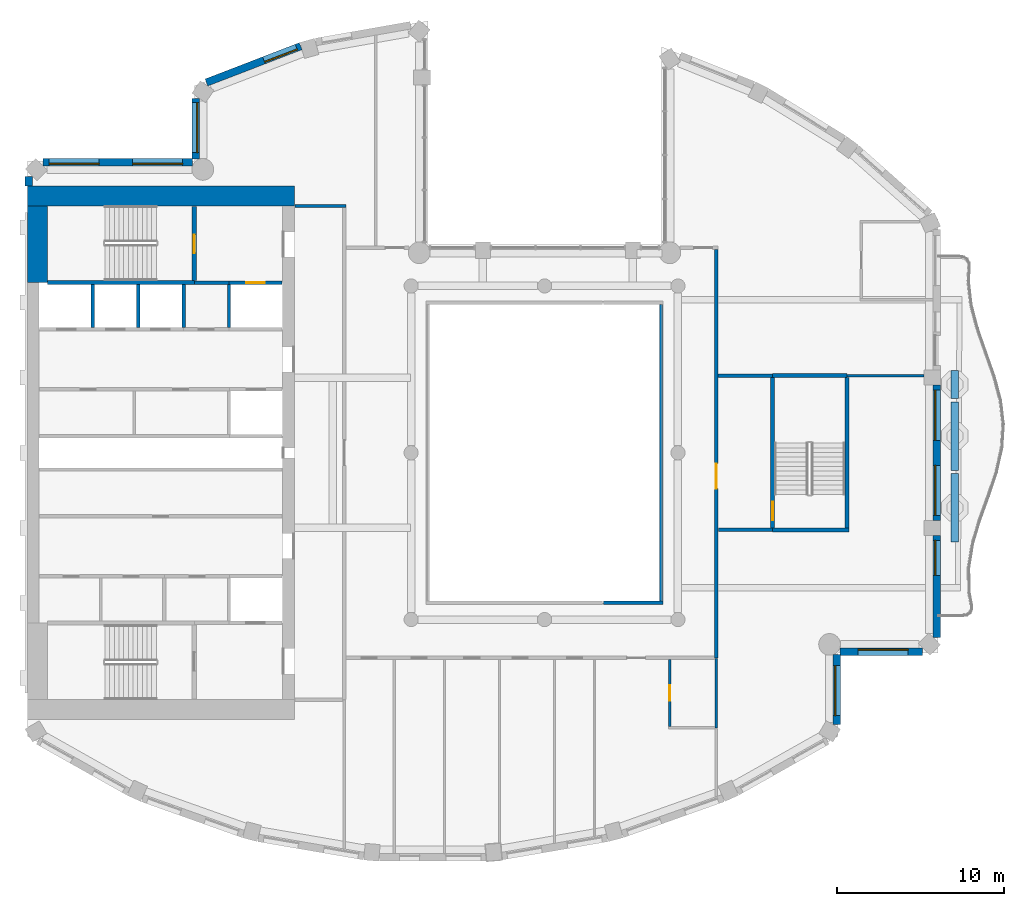
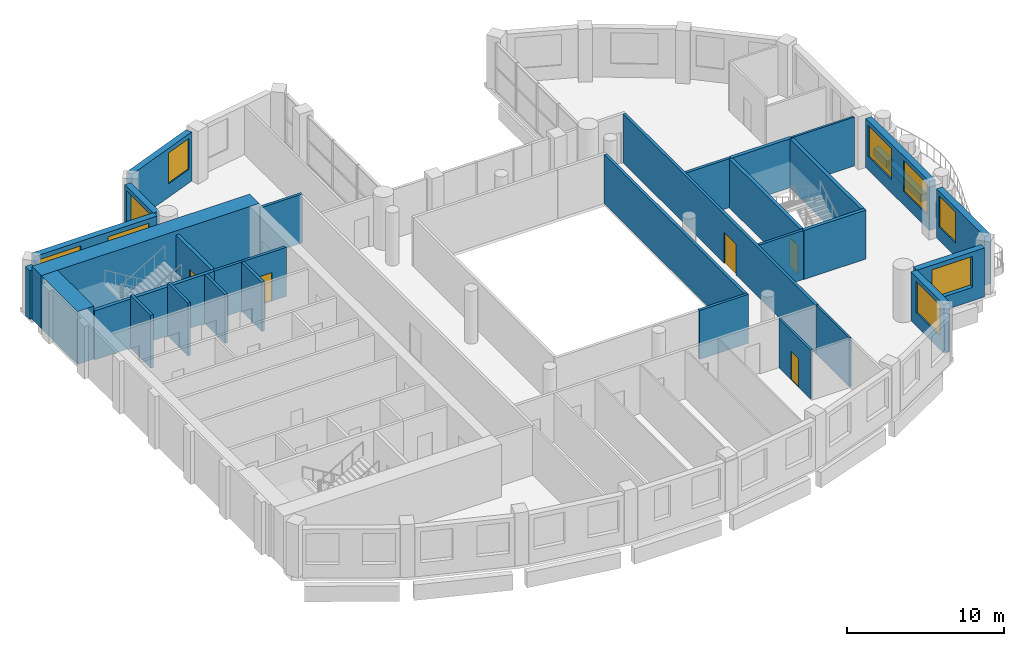
# One storey, part 6 of 14: 34 walls, 9 windows, 5 doors, 14 openings.
"""IFC4 building model written with IfcOpenShell, lengths in metres."""

from ifc_helpers import new_model, si_unit, direction, frame, frame_2d, origin, place, context, subcontext, project, spatial, rectangle, extrude, material, layer, layer_set, type_object, element, fill, save


model = new_model("IFC4")

# Units and contexts
model_context = context("Model", 3, precision=1e-05, world=origin(), true_north=direction((0.0, 1.0)))
body_context = subcontext(model_context, "Body", "Model", "MODEL_VIEW")
ifc_project = project(units=[si_unit("LENGTHUNIT", "METRE"), si_unit("AREAUNIT", "SQUARE_METRE"), si_unit("VOLUMEUNIT", "CUBIC_METRE"), si_unit("PLANEANGLEUNIT", "RADIAN"), si_unit("MASSUNIT", "GRAM", prefix="KILO")], contexts=[model_context])

# Site, building, storey
site_placement = place(None, origin())
site = spatial("IfcSite", under=ifc_project, at=site_placement, CompositionType="ELEMENT")
building_placement = place(site_placement, origin())
building = spatial("IfcBuilding", under=site, at=building_placement, Name="Cypress Arch Tower", CompositionType="ELEMENT")
storey_placement = place(building_placement, frame((0.0, 0.0, 304.89990234375)))
storey = spatial("IfcBuildingStorey", under=building, at=storey_placement, Name="L69", CompositionType="ELEMENT", Elevation=304.89990234375)

# Walls
ifc_material_1 = material(Name="Concrete C40/50, waterproofed", Category="concrete")
ifc_layer_1 = layer(ifc_material_1, 0.449951171875)
ifc_layer_set_1 = layer_set([ifc_layer_1], Name="Balcony planter wall PW450")
wall_type_1 = type_object("IfcWallType", Name="Balcony planter wall PW450", PredefinedType="SOLIDWALL", material=ifc_layer_set_1)
for number, where, z_axis, x_axis, name in (
    (1, (25.60009765625, -5.35009765625, 0.0), (0.0, 0.0, 1.0), (0.0, 1.0, 0.0), "Balcony planter wall L69-C17.1"),
    (2, (25.60009765625, -1.050048828125, 0.0), (0.0, 0.0, 1.0), (0.0, 1.0, 0.0), "Balcony planter wall L69-C17.2"),
):
    element("IfcWall", number, at=place(storey_placement, frame(where, z_axis=z_axis, x_axis=x_axis)), inside=storey, type_object=wall_type_1, Name=name, PredefinedType="SOLIDWALL", context=body_context, shape_type="SweptSolid", body=[
        extrude(rectangle(XDim=4.10009765625, YDim=0.449951171875, at=frame_2d((2.050048828125, 0.0))), origin(), (0.0, 0.0, 1.0), 0.60009765625),
    ])
wall_1_placement = place(storey_placement, frame((25.60009765625, 3.25, 0.0), z_axis=(0.0, 0.0, 1.0), x_axis=(0.0, 1.0, 0.0)))
element("IfcWall", 3, at=wall_1_placement, inside=storey, type_object=wall_type_1, Name="Balcony planter wall L69-C17.3", PredefinedType="SOLIDWALL", context=body_context, shape_type="SweptSolid", body=[
    extrude(rectangle(XDim=1.69140625, YDim=0.449951171875, at=frame_2d((0.845703125, 0.0))), origin(), (0.0, 0.0, 1.0), 0.60009765625),
])

# Wall, opening, window
ifc_material_2 = material(Name="Brick (red buff blend)", Category="masonry")
ifc_layer_2 = layer(ifc_material_2, 0.449951171875)
ifc_layer_set_2 = layer_set([ifc_layer_2], Name="Brick pier and spandrel wall BW450")
wall_type_2 = type_object("IfcWallType", Name="Brick pier and spandrel wall BW450", PredefinedType="SOLIDWALL", material=ifc_layer_set_2)
wall_2_placement = place(storey_placement, frame((-13.6220703125, 24.376953125, 0.0), z_axis=(0.0, 0.0, 1.0), x_axis=(-0.933129259679, -0.359541075164, 0.0)))
wall_2 = element("IfcWall", 4, at=wall_2_placement, inside=storey, type_object=wall_type_2, Name="Brick wall L69 C04.0", PredefinedType="SOLIDWALL", context=body_context, shape_type="SweptSolid", body=[
    extrude(rectangle(XDim=6.05419921875, YDim=0.449951171875, at=frame_2d((3.027099609375, 0.0))), origin(), (0.0, 0.0, 1.0), 3.800048828125),
])
opening_1_placement = place(wall_2_placement, frame((0.260986328125, 0.0, 1.050048828125)))
opening_1 = element("IfcOpeningElement", 5, at=opening_1_placement, cuts=wall_2, Name="Opening W210O", PredefinedType="OPENING", context=body_context, shape_type="SweptSolid", body=[
    extrude(rectangle(XDim=2.10009765625, YDim=2.39990234375, at=frame_2d((1.050048828125, 1.199951171875))), frame((0.0, 0.23486328125, 0.0), z_axis=(0.0, -1.0, 0.0), x_axis=(1.0, 0.0, 0.0)), (0.0, 0.0, 1.0), 0.469970703125),
])
ifc_material_3 = material(Name="Anodised aluminium, bronze finish, clear low-emissivity double glazing", Category="aluminium")
window_type_1 = type_object("IfcWindowType", Name="Window Office 2100x2400", PartitioningType="SINGLE_PANEL", PredefinedType="WINDOW", material=ifc_material_3)
window_1_placement = place(opening_1_placement, origin())
window_1 = element("IfcWindow", 6, at=window_1_placement, inside=storey, type_object=window_type_1, Name="Window L69 C04.0.1", OverallHeight=2.39990234375, OverallWidth=2.10009765625, PartitioningType="SINGLE_PANEL", PredefinedType="WINDOW", context=body_context, shape_type="SweptSolid", body=[
    extrude(rectangle(XDim=2.10009765625, YDim=2.39990234375, at=frame_2d((1.050048828125, 1.199951171875))), frame((0.0, 0.135009765625, 0.0), z_axis=(0.0, -1.0, 0.0), x_axis=(1.0, 0.0, 0.0)), (0.0, 0.0, 1.0), 0.06005859375),
])
fill(opening_1, window_1)

wall_3_placement = place(storey_placement, frame((-19.925048828125, 21.248291015625, 0.0), z_axis=(0.0, 0.0, 1.0), x_axis=(0.0, -1.0, 0.0)))
wall_3 = element("IfcWall", 7, at=wall_3_placement, inside=storey, type_object=wall_type_2, Name="Brick wall L69 C05.0", PredefinedType="SOLIDWALL", context=body_context, shape_type="SweptSolid", body=[
    extrude(rectangle(XDim=3.646728515625, YDim=0.449951171875, at=frame_2d((1.8232421875, 0.0))), origin(), (0.0, 0.0, 1.0), 3.800048828125),
])
opening_2_placement = place(wall_3_placement, frame((0.251220703125, 0.0, 1.050048828125)))
opening_2 = element("IfcOpeningElement", 8, at=opening_2_placement, cuts=wall_3, Name="Opening W300O", PredefinedType="OPENING", context=body_context, shape_type="SweptSolid", body=[
    extrude(rectangle(XDim=3.0, YDim=2.39990234375, at=frame_2d((1.5, 1.199951171875))), frame((0.0, 0.23486328125, 0.0), z_axis=(0.0, -1.0, 0.0), x_axis=(1.0, 0.0, 0.0)), (0.0, 0.0, 1.0), 0.469970703125),
])
ifc_material_4 = material(Name="Anodised aluminium, bronze finish, clear low-emissivity double glazing", Category="aluminium")
window_type_2 = type_object("IfcWindowType", Name="Window Office 3000x2400", PartitioningType="SINGLE_PANEL", PredefinedType="WINDOW", material=ifc_material_4)
window_2_placement = place(opening_2_placement, origin())
window_2 = element("IfcWindow", 9, at=window_2_placement, inside=storey, type_object=window_type_2, Name="Window L69 C05.0.1", OverallHeight=2.39990234375, OverallWidth=3.0, PartitioningType="SINGLE_PANEL", PredefinedType="WINDOW", context=body_context, shape_type="SweptSolid", body=[
    extrude(rectangle(XDim=3.0, YDim=2.39990234375, at=frame_2d((1.5, 1.199951171875))), frame((0.0, 0.135009765625, 0.0), z_axis=(0.0, -1.0, 0.0), x_axis=(1.0, 0.0, 0.0)), (0.0, 0.0, 1.0), 0.06005859375),
])
fill(opening_2, window_2)

# Wall, openings, windows
wall_4_placement = place(storey_placement, frame((-20.1015625, 17.425048828125, 0.0), z_axis=(0.0, 0.0, 1.0), x_axis=(-1.0, 0.0, 0.0)))
wall_4 = element("IfcWall", 10, at=wall_4_placement, inside=storey, type_object=wall_type_2, Name="Brick wall L69 C06.0", PredefinedType="SOLIDWALL", context=body_context, shape_type="SweptSolid", body=[
    extrude(rectangle(XDim=8.962158203125, YDim=0.449951171875, at=frame_2d((4.48095703125, 0.0))), origin(), (0.0, 0.0, 1.0), 3.800048828125),
])
opening_3_placement = place(wall_4_placement, frame((0.598388671875, 0.0, 1.050048828125)))
opening_3 = element("IfcOpeningElement", 11, at=opening_3_placement, cuts=wall_4, Name="Opening W300O", PredefinedType="OPENING", context=body_context, shape_type="SweptSolid", body=[
    extrude(rectangle(XDim=3.0, YDim=2.39990234375, at=frame_2d((1.5, 1.199951171875))), frame((0.0, 0.23486328125, 0.0), z_axis=(0.0, -1.0, 0.0), x_axis=(1.0, 0.0, 0.0)), (0.0, 0.0, 1.0), 0.469970703125),
])
opening_4_placement = place(wall_4_placement, frame((5.598388671875, 0.0, 1.050048828125)))
opening_4 = element("IfcOpeningElement", 12, at=opening_4_placement, cuts=wall_4, Name="Opening W300O", PredefinedType="OPENING", context=body_context, shape_type="SweptSolid", body=[
    extrude(rectangle(XDim=3.0, YDim=2.39990234375, at=frame_2d((1.5, 1.199951171875))), frame((0.0, 0.23486328125, 0.0), z_axis=(0.0, -1.0, 0.0), x_axis=(1.0, 0.0, 0.0)), (0.0, 0.0, 1.0), 0.469970703125),
])
window_3_placement = place(opening_3_placement, origin())
window_3 = element("IfcWindow", 13, at=window_3_placement, inside=storey, type_object=window_type_2, Name="Window L69 C06.0.1", OverallHeight=2.39990234375, OverallWidth=3.0, PartitioningType="SINGLE_PANEL", PredefinedType="WINDOW", context=body_context, shape_type="SweptSolid", body=[
    extrude(rectangle(XDim=3.0, YDim=2.39990234375, at=frame_2d((1.5, 1.199951171875))), frame((0.0, 0.135009765625, 0.0), z_axis=(0.0, -1.0, 0.0), x_axis=(1.0, 0.0, 0.0)), (0.0, 0.0, 1.0), 0.06005859375),
])
fill(opening_3, window_3)
window_4_placement = place(opening_4_placement, origin())
window_4 = element("IfcWindow", 14, at=window_4_placement, inside=storey, type_object=window_type_2, Name="Window L69 C06.0.2", OverallHeight=2.39990234375, OverallWidth=3.0, PartitioningType="SINGLE_PANEL", PredefinedType="WINDOW", context=body_context, shape_type="SweptSolid", body=[
    extrude(rectangle(XDim=3.0, YDim=2.39990234375, at=frame_2d((1.5, 1.199951171875))), frame((0.0, 0.135009765625, 0.0), z_axis=(0.0, -1.0, 0.0), x_axis=(1.0, 0.0, 0.0)), (0.0, 0.0, 1.0), 0.06005859375),
])
fill(opening_4, window_4)

# Wall
wall_5_placement = place(storey_placement, frame((-29.925048828125, 16.563720703125, 0.0), z_axis=(0.0, 0.0, 1.0), x_axis=(0.0, -1.0, 0.0)))
element("IfcWall", 15, at=wall_5_placement, inside=storey, type_object=wall_type_2, Name="Brick wall L69 C07.0", PredefinedType="SOLIDWALL", context=body_context, shape_type="SweptSolid", body=[
    extrude(rectangle(XDim=0.563720703125, YDim=0.449951171875, at=frame_2d((0.28173828125, 0.0))), origin(), (0.0, 0.0, 1.0), 3.800048828125),
])

# Wall, opening, window
wall_6_placement = place(storey_placement, frame((18.52490234375, -16.3037109375, 0.0), z_axis=(0.0, 0.0, 1.0), x_axis=(0.0, 1.0, 0.0)))
wall_6 = element("IfcWall", 16, at=wall_6_placement, inside=storey, type_object=wall_type_2, Name="Brick wall L69 C15.0", PredefinedType="SOLIDWALL", context=body_context, shape_type="SweptSolid", body=[
    extrude(rectangle(XDim=4.2021484375, YDim=0.449951171875, at=frame_2d((2.10107421875, 0.0))), origin(), (0.0, 0.0, 1.0), 3.800048828125),
])
opening_5_placement = place(wall_6_placement, frame((0.541259765625, 0.0, 1.050048828125)))
opening_5 = element("IfcOpeningElement", 17, at=opening_5_placement, cuts=wall_6, Name="Opening W300O", PredefinedType="OPENING", context=body_context, shape_type="SweptSolid", body=[
    extrude(rectangle(XDim=3.0, YDim=2.39990234375, at=frame_2d((1.5, 1.199951171875))), frame((0.0, 0.23486328125, 0.0), z_axis=(0.0, -1.0, 0.0), x_axis=(1.0, 0.0, 0.0)), (0.0, 0.0, 1.0), 0.469970703125),
])
window_5_placement = place(opening_5_placement, origin())
window_5 = element("IfcWindow", 18, at=window_5_placement, inside=storey, type_object=window_type_2, Name="Window L69 C15.0.1", OverallHeight=2.39990234375, OverallWidth=3.0, PartitioningType="SINGLE_PANEL", PredefinedType="WINDOW", context=body_context, shape_type="SweptSolid", body=[
    extrude(rectangle(XDim=3.0, YDim=2.39990234375, at=frame_2d((1.5, 1.199951171875))), frame((0.0, 0.135009765625, 0.0), z_axis=(0.0, -1.0, 0.0), x_axis=(1.0, 0.0, 0.0)), (0.0, 0.0, 1.0), 0.06005859375),
])
fill(opening_5, window_5)

wall_7_placement = place(storey_placement, frame((18.701416015625, -11.925048828125, 0.0), z_axis=(0.0, 0.0, 1.0), x_axis=(1.0, 0.0, 0.0)))
wall_7 = element("IfcWall", 19, at=wall_7_placement, inside=storey, type_object=wall_type_2, Name="Brick wall L69 C16.0", PredefinedType="SOLIDWALL", context=body_context, shape_type="SweptSolid", body=[
    extrude(rectangle(XDim=4.962158203125, YDim=0.449951171875, at=frame_2d((2.48095703125, 0.0))), origin(), (0.0, 0.0, 1.0), 3.800048828125),
])
opening_6_placement = place(wall_7_placement, frame((1.098388671875, 0.0, 1.050048828125)))
opening_6 = element("IfcOpeningElement", 20, at=opening_6_placement, cuts=wall_7, Name="Opening W300O", PredefinedType="OPENING", context=body_context, shape_type="SweptSolid", body=[
    extrude(rectangle(XDim=3.0, YDim=2.39990234375, at=frame_2d((1.5, 1.199951171875))), frame((0.0, 0.23486328125, 0.0), z_axis=(0.0, -1.0, 0.0), x_axis=(1.0, 0.0, 0.0)), (0.0, 0.0, 1.0), 0.469970703125),
])
window_6_placement = place(opening_6_placement, origin())
window_6 = element("IfcWindow", 21, at=window_6_placement, inside=storey, type_object=window_type_2, Name="Window L69 C16.0.1", OverallHeight=2.39990234375, OverallWidth=3.0, PartitioningType="SINGLE_PANEL", PredefinedType="WINDOW", context=body_context, shape_type="SweptSolid", body=[
    extrude(rectangle(XDim=3.0, YDim=2.39990234375, at=frame_2d((1.5, 1.199951171875))), frame((0.0, 0.135009765625, 0.0), z_axis=(0.0, -1.0, 0.0), x_axis=(1.0, 0.0, 0.0)), (0.0, 0.0, 1.0), 0.06005859375),
])
fill(opening_6, window_6)

wall_8_placement = place(storey_placement, frame((24.52490234375, -11.063720703125, 0.0), z_axis=(0.0, 0.0, 1.0), x_axis=(0.0, 1.0, 0.0)))
wall_8 = element("IfcWall", 22, at=wall_8_placement, inside=storey, type_object=wall_type_2, Name="Brick wall L69 C17.0", PredefinedType="SOLIDWALL", context=body_context, shape_type="SweptSolid", body=[
    extrude(rectangle(XDim=6.11376953125, YDim=0.449951171875, at=frame_2d((3.056884765625, 0.0))), origin(), (0.0, 0.0, 1.0), 3.800048828125),
])
opening_7_placement = place(wall_8_placement, frame((3.713623046875, 0.0, 1.050048828125)))
opening_7 = element("IfcOpeningElement", 23, at=opening_7_placement, cuts=wall_8, Name="Opening W210OD", PredefinedType="OPENING", context=body_context, shape_type="SweptSolid", body=[
    extrude(rectangle(XDim=2.10009765625, YDim=2.39990234375, at=frame_2d((1.050048828125, 1.199951171875))), frame((0.0, 0.23486328125, 0.0), z_axis=(0.0, -1.0, 0.0), x_axis=(1.0, 0.0, 0.0)), (0.0, 0.0, 1.0), 0.469970703125),
])
ifc_material_5 = material(Name="Anodised aluminium, bronze finish, laminated low-emissivity double glazing, large-missile impact rated", Category="aluminium")
window_type_3 = type_object("IfcWindowType", Name="Window Office 2100x2400 debris-rated", PartitioningType="SINGLE_PANEL", PredefinedType="WINDOW", material=ifc_material_5)
window_7_placement = place(opening_7_placement, origin())
window_7 = element("IfcWindow", 24, at=window_7_placement, inside=storey, type_object=window_type_3, Name="Window L69 C17.0.2", OverallHeight=2.39990234375, OverallWidth=2.10009765625, PartitioningType="SINGLE_PANEL", PredefinedType="WINDOW", context=body_context, shape_type="SweptSolid", body=[
    extrude(rectangle(XDim=2.10009765625, YDim=2.39990234375, at=frame_2d((1.050048828125, 1.199951171875))), frame((0.0, 0.135009765625, 0.0), z_axis=(0.0, -1.0, 0.0), x_axis=(1.0, 0.0, 0.0)), (0.0, 0.0, 1.0), 0.06005859375),
])
fill(opening_7, window_7)

# Wall, openings, windows
wall_9_placement = place(storey_placement, frame((24.52490234375, -4.050048828125, 0.0), z_axis=(0.0, 0.0, 1.0), x_axis=(0.0, 1.0, 0.0)))
wall_9 = element("IfcWall", 25, at=wall_9_placement, inside=storey, type_object=wall_type_2, Name="Brick wall L69 C17.1", PredefinedType="SOLIDWALL", context=body_context, shape_type="SweptSolid", body=[
    extrude(rectangle(XDim=8.10009765625, YDim=0.449951171875, at=frame_2d((4.050048828125, 0.0))), origin(), (0.0, 0.0, 1.0), 3.800048828125),
])
opening_8_placement = place(wall_9_placement, frame((0.300048828125, 0.0, 1.050048828125)))
opening_8 = element("IfcOpeningElement", 26, at=opening_8_placement, cuts=wall_9, Name="Opening W300OD", PredefinedType="OPENING", context=body_context, shape_type="SweptSolid", body=[
    extrude(rectangle(XDim=3.0, YDim=2.39990234375, at=frame_2d((1.5, 1.199951171875))), frame((0.0, 0.23486328125, 0.0), z_axis=(0.0, -1.0, 0.0), x_axis=(1.0, 0.0, 0.0)), (0.0, 0.0, 1.0), 0.469970703125),
])
opening_9_placement = place(wall_9_placement, frame((4.800048828125, 0.0, 1.050048828125)))
opening_9 = element("IfcOpeningElement", 27, at=opening_9_placement, cuts=wall_9, Name="Opening W300OD", PredefinedType="OPENING", context=body_context, shape_type="SweptSolid", body=[
    extrude(rectangle(XDim=3.0, YDim=2.39990234375, at=frame_2d((1.5, 1.199951171875))), frame((0.0, 0.23486328125, 0.0), z_axis=(0.0, -1.0, 0.0), x_axis=(1.0, 0.0, 0.0)), (0.0, 0.0, 1.0), 0.469970703125),
])
ifc_material_6 = material(Name="Anodised aluminium, bronze finish, laminated low-emissivity double glazing, large-missile impact rated", Category="aluminium")
window_type_4 = type_object("IfcWindowType", Name="Window Office 3000x2400 debris-rated", PartitioningType="SINGLE_PANEL", PredefinedType="WINDOW", material=ifc_material_6)
window_8_placement = place(opening_8_placement, origin())
window_8 = element("IfcWindow", 28, at=window_8_placement, inside=storey, type_object=window_type_4, Name="Window L69 C17.1.1", OverallHeight=2.39990234375, OverallWidth=3.0, PartitioningType="SINGLE_PANEL", PredefinedType="WINDOW", context=body_context, shape_type="SweptSolid", body=[
    extrude(rectangle(XDim=3.0, YDim=2.39990234375, at=frame_2d((1.5, 1.199951171875))), frame((0.0, 0.135009765625, 0.0), z_axis=(0.0, -1.0, 0.0), x_axis=(1.0, 0.0, 0.0)), (0.0, 0.0, 1.0), 0.06005859375),
])
fill(opening_8, window_8)
window_9_placement = place(opening_9_placement, origin())
window_9 = element("IfcWindow", 29, at=window_9_placement, inside=storey, type_object=window_type_4, Name="Window L69 C17.1.2", OverallHeight=2.39990234375, OverallWidth=3.0, PartitioningType="SINGLE_PANEL", PredefinedType="WINDOW", context=body_context, shape_type="SweptSolid", body=[
    extrude(rectangle(XDim=3.0, YDim=2.39990234375, at=frame_2d((1.5, 1.199951171875))), frame((0.0, 0.135009765625, 0.0), z_axis=(0.0, -1.0, 0.0), x_axis=(1.0, 0.0, 0.0)), (0.0, 0.0, 1.0), 0.06005859375),
])
fill(opening_9, window_9)

# Walls
ifc_material_7 = material(Name="Concrete C60/75", Category="concrete")
ifc_layer_3 = layer(ifc_material_7, 1.199951171875)
ifc_layer_set_3 = layer_set([ifc_layer_3], Name="Core wall CW1200 C60/75")
wall_type_3 = type_object("IfcWallType", Name="Core wall CW1200 C60/75", PredefinedType="SHEAR", material=ifc_layer_set_3)
wall_10_placement = place(storey_placement, frame((-30.0, 15.39990234375, 0.0), z_axis=(0.0, 0.0, 1.0), x_axis=(1.0, 0.0, 0.0)))
element("IfcWall", 30, at=wall_10_placement, inside=storey, type_object=wall_type_3, Name="Core wall", PredefinedType="SHEAR", context=body_context, shape_type="SweptSolid", body=[
    extrude(rectangle(XDim=16.0, YDim=1.199951171875, at=frame_2d((8.0, 0.0))), origin(), (0.0, 0.0, 1.0), 4.10009765625),
])
wall_11_placement = place(storey_placement, frame((-29.39990234375, 10.199951171875, 0.0), z_axis=(0.0, 0.0, 1.0), x_axis=(0.0, 1.0, 0.0)))
element("IfcWall", 31, at=wall_11_placement, inside=storey, type_object=wall_type_3, Name="Core wall", PredefinedType="SHEAR", context=body_context, shape_type="SweptSolid", body=[
    extrude(rectangle(XDim=4.60009765625, YDim=1.199951171875, at=frame_2d((2.300048828125, 0.0))), origin(), (0.0, 0.0, 1.0), 4.10009765625),
])
ifc_material_8 = material(Name="Concrete blockwork, plastered, rated", Category="masonry")
ifc_layer_4 = layer(ifc_material_8, 0.199951171875)
ifc_layer_set_4 = layer_set([ifc_layer_4], Name="Corridor wall FW200")
wall_type_4 = type_object("IfcWallType", Name="Corridor wall FW200", PredefinedType="PARTITIONING", material=ifc_layer_set_4)
wall_12_placement = place(storey_placement, frame((-20.0, 10.199951171875, 0.0), z_axis=(0.0, 0.0, 1.0), x_axis=(1.0, 0.0, 0.0)))
element("IfcWall", 32, at=wall_12_placement, inside=storey, type_object=wall_type_4, Name="Corridor wall", PredefinedType="PARTITIONING", context=body_context, shape_type="SweptSolid", body=[
    extrude(rectangle(XDim=2.080078125, YDim=0.199951171875, at=frame_2d((1.0400390625, 0.0))), origin(), (0.0, 0.0, 1.0), 3.800048828125),
])
wall_13_placement = place(storey_placement, frame((-13.969970703125, 14.800048828125, 0.0), z_axis=(0.0, 0.0, 1.0), x_axis=(1.0, 0.0, 0.0)))
element("IfcWall", 33, at=wall_13_placement, inside=storey, type_object=wall_type_4, Name="Corridor wall", PredefinedType="PARTITIONING", context=body_context, shape_type="SweptSolid", body=[
    extrude(rectangle(XDim=3.070068359375, YDim=0.199951171875, at=frame_2d((1.53515625, 0.0))), origin(), (0.0, 0.0, 1.0), 3.800048828125),
])
wall_14_placement = place(storey_placement, frame((4.52001953125, -9.0, 0.0), z_axis=(0.0, 0.0, 1.0), x_axis=(1.0, 0.0, 0.0)))
element("IfcWall", 34, at=wall_14_placement, inside=storey, type_object=wall_type_4, Name="Corridor wall", PredefinedType="PARTITIONING", context=body_context, shape_type="SweptSolid", body=[
    extrude(rectangle(XDim=3.580078125, YDim=0.199951171875, at=frame_2d((1.7900390625, 0.0))), origin(), (0.0, 0.0, 1.0), 3.800048828125),
])
wall_15_placement = place(storey_placement, frame((8.0, -8.89990234375, 0.0), z_axis=(0.0, 0.0, 1.0), x_axis=(0.0, 1.0, 0.0)))
element("IfcWall", 35, at=wall_15_placement, inside=storey, type_object=wall_type_4, Name="Corridor wall", PredefinedType="PARTITIONING", context=body_context, shape_type="SweptSolid", body=[
    extrude(rectangle(XDim=17.7998046875, YDim=0.199951171875, at=frame_2d((8.89990234375, 0.0))), origin(), (0.0, 0.0, 1.0), 3.800048828125),
])

# Wall, opening, door
wall_16_placement = place(storey_placement, frame((11.300048828125, -12.300048828125, 0.0), z_axis=(0.0, 0.0, 1.0), x_axis=(0.0, 1.0, 0.0)))
wall_16 = element("IfcWall", 36, at=wall_16_placement, inside=storey, type_object=wall_type_4, Name="Corridor wall", PredefinedType="PARTITIONING", context=body_context, shape_type="SweptSolid", body=[
    extrude(rectangle(XDim=24.5, YDim=0.199951171875, at=frame_2d((12.25, 0.0))), origin(), (0.0, 0.0, 1.0), 3.800048828125),
])
opening_10_placement = place(wall_16_placement, frame((10.14990234375, 0.0, 0.0)))
opening_10 = element("IfcOpeningElement", 37, at=opening_10_placement, cuts=wall_16, Name="Opening D07", PredefinedType="OPENING", context=body_context, shape_type="SweptSolid", body=[
    extrude(rectangle(XDim=1.5, YDim=2.39990234375, at=frame_2d((0.75, 1.199951171875))), frame((0.0, 0.10986328125, 0.0), z_axis=(0.0, -1.0, 0.0), x_axis=(1.0, 0.0, 0.0)), (0.0, 0.0, 1.0), 0.219970703125),
])
ifc_material_9 = material(Name="Steel framed glazed door, fire resisting", Category="steel")
door_type_1 = type_object("IfcDoorType", Name="Lobby door D07 1500x2400", OperationType="DOUBLE_DOOR_SINGLE_SWING", PredefinedType="DOOR", material=ifc_material_9)
door_1_placement = place(opening_10_placement, origin())
door_1 = element("IfcDoor", 38, at=door_1_placement, inside=storey, type_object=door_type_1, Name="Lobby door", OperationType="DOUBLE_DOOR_SINGLE_SWING", OverallHeight=2.39990234375, OverallWidth=1.5, PredefinedType="DOOR", context=body_context, shape_type="SweptSolid", body=[
    extrude(rectangle(XDim=1.5, YDim=2.39990234375, at=frame_2d((0.75, 1.199951171875))), frame((0.0, 0.02490234375, 0.0), z_axis=(0.0, -1.0, 0.0), x_axis=(1.0, 0.0, 0.0)), (0.0, 0.0, 1.0), 0.050048828125),
])
fill(opening_10, door_1)

# Walls
wall_17_placement = place(storey_placement, frame((11.39990234375, 4.625, 0.0), z_axis=(0.0, 0.0, 1.0), x_axis=(1.0, 0.0, 0.0)))
element("IfcWall", 39, at=wall_17_placement, inside=storey, type_object=wall_type_4, Name="Corridor wall", PredefinedType="PARTITIONING", context=body_context, shape_type="SweptSolid", body=[
    extrude(rectangle(XDim=3.275146484375, YDim=0.199951171875, at=frame_2d((1.6376953125, 0.0))), origin(), (0.0, 0.0, 1.0), 3.800048828125),
])
wall_18_placement = place(storey_placement, frame((11.419921875, -4.625, 0.0), z_axis=(0.0, 0.0, 1.0), x_axis=(1.0, 0.0, 0.0)))
element("IfcWall", 40, at=wall_18_placement, inside=storey, type_object=wall_type_4, Name="Corridor wall", PredefinedType="PARTITIONING", context=body_context, shape_type="SweptSolid", body=[
    extrude(rectangle(XDim=3.235107421875, YDim=0.199951171875, at=frame_2d((1.61767578125, 0.0))), origin(), (0.0, 0.0, 1.0), 3.800048828125),
])

# Wall, opening, door
ifc_material_10 = material(Name="Blockwork, plastered both sides", Category="masonry")
ifc_layer_5 = layer(ifc_material_10, 0.14990234375)
ifc_layer_set_5 = layer_set([ifc_layer_5], Name="Partition PW150")
wall_type_5 = type_object("IfcWallType", Name="Partition PW150", PredefinedType="PARTITIONING", material=ifc_layer_set_5)
wall_19_placement = place(storey_placement, frame((8.501953125, -16.425048828125, 0.0), z_axis=(0.0, 0.0, 1.0), x_axis=(0.0, 1.0, 0.0)))
wall_19 = element("IfcWall", 41, at=wall_19_placement, inside=storey, type_object=wall_type_5, Name="Partition", PredefinedType="PARTITIONING", context=body_context, shape_type="SweptSolid", body=[
    extrude(rectangle(XDim=4.025146484375, YDim=0.14990234375, at=frame_2d((2.0126953125, 0.0))), origin(), (0.0, 0.0, 1.0), 3.800048828125),
])
opening_11_placement = place(wall_19_placement, frame((1.550048828125, 0.0, 0.0)))
opening_11 = element("IfcOpeningElement", 42, at=opening_11_placement, cuts=wall_19, Name="Opening D12", PredefinedType="OPENING", context=body_context, shape_type="SweptSolid", body=[
    extrude(rectangle(XDim=0.949951171875, YDim=2.199951171875, at=frame_2d((0.47509765625, 1.10009765625))), frame((0.0, 0.0849609375, 0.0), z_axis=(0.0, -1.0, 0.0), x_axis=(1.0, 0.0, 0.0)), (0.0, 0.0, 1.0), 0.169921875),
])
ifc_material_11 = material(Name="Timber flush door", Category="wood")
door_type_2 = type_object("IfcDoorType", Name="Room door D12 950x2200", OperationType="SINGLE_SWING_LEFT", PredefinedType="DOOR", material=ifc_material_11)
door_2_placement = place(opening_11_placement, origin())
door_2 = element("IfcDoor", 43, at=door_2_placement, inside=storey, type_object=door_type_2, Name="Room door", OperationType="SINGLE_SWING_RIGHT", OverallHeight=2.199951171875, OverallWidth=0.949951171875, PredefinedType="DOOR", context=body_context, shape_type="SweptSolid", body=[
    extrude(rectangle(XDim=0.949951171875, YDim=2.199951171875, at=frame_2d((0.47509765625, 1.10009765625))), frame((0.0, 0.02490234375, 0.0), z_axis=(0.0, -1.0, 0.0), x_axis=(1.0, 0.0, 0.0)), (0.0, 0.0, 1.0), 0.050048828125),
])
fill(opening_11, door_2)

# Walls
wall_20_placement = place(storey_placement, frame((11.300048828125, -16.5, 0.0), z_axis=(0.0, 0.0, 1.0), x_axis=(0.0, 1.0, 0.0)))
element("IfcWall", 44, at=wall_20_placement, inside=storey, type_object=wall_type_5, Name="Partition", PredefinedType="PARTITIONING", context=body_context, shape_type="SweptSolid", body=[
    extrude(rectangle(XDim=4.179931640625, YDim=0.14990234375, at=frame_2d((2.08984375, 0.0))), origin(), (0.0, 0.0, 1.0), 3.800048828125),
])
wall_21_placement = place(storey_placement, frame((19.14501953125, 4.625, 0.0), z_axis=(0.0, 0.0, 1.0), x_axis=(1.0, 0.0, 0.0)))
element("IfcWall", 45, at=wall_21_placement, inside=storey, type_object=wall_type_5, Name="Partition", PredefinedType="PARTITIONING", context=body_context, shape_type="SweptSolid", body=[
    extrude(rectangle(XDim=4.60498046875, YDim=0.14990234375, at=frame_2d((2.302490234375, 0.0))), origin(), (0.0, 0.0, 1.0), 3.800048828125),
])
ifc_material_12 = material(Name="Concrete C50/60", Category="concrete")
ifc_layer_6 = layer(ifc_material_12, 0.199951171875)
ifc_layer_set_6 = layer_set([ifc_layer_6], Name="Shaft wall SH200")
wall_type_6 = type_object("IfcWallType", Name="Shaft wall SH200", PredefinedType="SHEAR", material=ifc_layer_set_6)
for number, where, z_axis, x_axis, name in (
    (46, (-26.080078125, 7.5, 0.0), (0.0, 0.0, 1.0), (0.0, 1.0, 0.0), "Shaft wall"),
    (47, (-23.360107421875, 7.5, 0.0), (0.0, 0.0, 1.0), (0.0, 1.0, 0.0), "Shaft wall"),
):
    element("IfcWall", number, at=place(storey_placement, frame(where, z_axis=z_axis, x_axis=x_axis)), inside=storey, type_object=wall_type_6, Name=name, PredefinedType="SHEAR", context=body_context, shape_type="SweptSolid", body=[
        extrude(rectangle(XDim=2.574951171875, YDim=0.199951171875, at=frame_2d((1.28759765625, 0.0))), origin(), (0.0, 0.0, 1.0), 4.10009765625),
    ])
wall_22_placement = place(storey_placement, frame((-20.639892578125, 7.5, 0.0), z_axis=(0.0, 0.0, 1.0), x_axis=(0.0, 1.0, 0.0)))
element("IfcWall", 48, at=wall_22_placement, inside=storey, type_object=wall_type_6, Name="Shaft wall", PredefinedType="SHEAR", context=body_context, shape_type="SweptSolid", body=[
    extrude(rectangle(XDim=2.574951171875, YDim=0.199951171875, at=frame_2d((1.28759765625, 0.0))), origin(), (0.0, 0.0, 1.0), 3.800048828125),
])
wall_23_placement = place(storey_placement, frame((-17.919921875, 7.5, 0.0), z_axis=(0.0, 0.0, 1.0), x_axis=(0.0, 1.0, 0.0)))
element("IfcWall", 49, at=wall_23_placement, inside=storey, type_object=wall_type_6, Name="Shaft wall", PredefinedType="SHEAR", context=body_context, shape_type="SweptSolid", body=[
    extrude(rectangle(XDim=2.60009765625, YDim=0.199951171875, at=frame_2d((1.300048828125, 0.0))), origin(), (0.0, 0.0, 1.0), 3.800048828125),
])

# Wall, opening, door
wall_24_placement = place(storey_placement, frame((-17.919921875, 10.199951171875, 0.0), z_axis=(0.0, 0.0, 1.0), x_axis=(1.0, 0.0, 0.0)))
wall_24 = element("IfcWall", 50, at=wall_24_placement, inside=storey, type_object=wall_type_6, Name="Shaft wall", PredefinedType="SHEAR", context=body_context, shape_type="SweptSolid", body=[
    extrude(rectangle(XDim=3.18994140625, YDim=0.199951171875, at=frame_2d((1.594970703125, 0.0))), origin(), (0.0, 0.0, 1.0), 3.800048828125),
])
opening_12_placement = place(wall_24_placement, frame((1.050048828125, 0.0, 0.0)))
opening_12 = element("IfcOpeningElement", 51, at=opening_12_placement, cuts=wall_24, Name="Opening LD-FL2", PredefinedType="OPENING", context=body_context, shape_type="SweptSolid", body=[
    extrude(rectangle(XDim=1.10009765625, YDim=2.199951171875, at=frame_2d((0.550048828125, 1.10009765625))), frame((0.0, 0.10986328125, 0.0), z_axis=(0.0, -1.0, 0.0), x_axis=(1.0, 0.0, 0.0)), (0.0, 0.0, 1.0), 0.219970703125),
])
ifc_material_13 = material(Name="Stainless steel centre-opening landing door, rated", Category="steel")
door_type_3 = type_object("IfcDoorType", Name="Lift landing door LD 1100x2200", OperationType="DOUBLE_DOOR_SLIDING", PredefinedType="DOOR", material=ifc_material_13)
door_3_placement = place(opening_12_placement, origin())
door_3 = element("IfcDoor", 52, at=door_3_placement, inside=storey, type_object=door_type_3, Name="Lift landing doors FL2", OperationType="DOUBLE_DOOR_SLIDING", OverallHeight=2.199951171875, OverallWidth=1.10009765625, PredefinedType="DOOR", context=body_context, shape_type="SweptSolid", body=[
    extrude(rectangle(XDim=1.10009765625, YDim=2.199951171875, at=frame_2d((0.550048828125, 1.10009765625))), frame((0.0, 0.02490234375, 0.0), z_axis=(0.0, -1.0, 0.0), x_axis=(1.0, 0.0, 0.0)), (0.0, 0.0, 1.0), 0.050048828125),
])
fill(opening_12, door_3)

# Wall
ifc_material_14 = material(Name="Concrete C50/60", Category="concrete")
ifc_layer_7 = layer(ifc_material_14, 0.25)
ifc_layer_set_7 = layer_set([ifc_layer_7], Name="Stair enclosure wall SW250")
wall_type_7 = type_object("IfcWallType", Name="Stair enclosure wall SW250", PredefinedType="SHEAR", material=ifc_layer_set_7)
wall_25_placement = place(storey_placement, frame((-28.81005859375, 10.199951171875, 0.0), z_axis=(0.0, 0.0, 1.0), x_axis=(1.0, 0.0, 0.0)))
element("IfcWall", 53, at=wall_25_placement, inside=storey, type_object=wall_type_7, Name="Stair enclosure wall", PredefinedType="SHEAR", context=body_context, shape_type="SweptSolid", body=[
    extrude(rectangle(XDim=8.81005859375, YDim=0.25, at=frame_2d((4.405029296875, 0.0))), origin(), (0.0, 0.0, 1.0), 3.800048828125),
])

# Wall, opening, door
wall_26_placement = place(storey_placement, frame((-20.0, 10.324951171875, 0.0), z_axis=(0.0, 0.0, 1.0), x_axis=(0.0, 1.0, 0.0)))
wall_26 = element("IfcWall", 54, at=wall_26_placement, inside=storey, type_object=wall_type_7, Name="Stair enclosure wall", PredefinedType="SHEAR", context=body_context, shape_type="SweptSolid", body=[
    extrude(rectangle(XDim=4.445068359375, YDim=0.25, at=frame_2d((2.22265625, 0.0))), origin(), (0.0, 0.0, 1.0), 3.800048828125),
])
opening_13_placement = place(wall_26_placement, frame((1.64990234375, 0.0, 0.0)))
opening_13 = element("IfcOpeningElement", 55, at=opening_13_placement, cuts=wall_26, Name="Opening D06", PredefinedType="OPENING", context=body_context, shape_type="SweptSolid", body=[
    extrude(rectangle(XDim=1.10009765625, YDim=2.199951171875, at=frame_2d((0.550048828125, 1.10009765625))), frame((0.0, 0.135009765625, 0.0), z_axis=(0.0, -1.0, 0.0), x_axis=(1.0, 0.0, 0.0)), (0.0, 0.0, 1.0), 0.27001953125),
])
ifc_material_15 = material(Name="Steel door, fire resisting, panic bar", Category="steel")
door_type_4 = type_object("IfcDoorType", Name="Stair door D06 1100x2200", OperationType="SINGLE_SWING_LEFT", PredefinedType="DOOR", material=ifc_material_15)
door_4_placement = place(opening_13_placement, origin())
door_4 = element("IfcDoor", 56, at=door_4_placement, inside=storey, type_object=door_type_4, Name="Stair door", OperationType="SINGLE_SWING_LEFT", OverallHeight=2.199951171875, OverallWidth=1.10009765625, PredefinedType="DOOR", context=body_context, shape_type="SweptSolid", body=[
    extrude(rectangle(XDim=1.10009765625, YDim=2.199951171875, at=frame_2d((0.550048828125, 1.10009765625))), frame((0.0, 0.02490234375, 0.0), z_axis=(0.0, -1.0, 0.0), x_axis=(1.0, 0.0, 0.0)), (0.0, 0.0, 1.0), 0.050048828125),
])
fill(opening_13, door_4)

wall_27_placement = place(storey_placement, frame((14.675048828125, -4.5, 0.0), z_axis=(0.0, 0.0, 1.0), x_axis=(0.0, 1.0, 0.0)))
wall_27 = element("IfcWall", 57, at=wall_27_placement, inside=storey, type_object=wall_type_7, Name="Stair enclosure wall", PredefinedType="SHEAR", context=body_context, shape_type="SweptSolid", body=[
    extrude(rectangle(XDim=9.0, YDim=0.25, at=frame_2d((4.5, 0.0))), origin(), (0.0, 0.0, 1.0), 3.800048828125),
])
opening_14_placement = place(wall_27_placement, frame((0.449951171875, 0.0, 0.0)))
opening_14 = element("IfcOpeningElement", 58, at=opening_14_placement, cuts=wall_27, Name="Opening D06", PredefinedType="OPENING", context=body_context, shape_type="SweptSolid", body=[
    extrude(rectangle(XDim=1.10009765625, YDim=2.199951171875, at=frame_2d((0.550048828125, 1.10009765625))), frame((0.0, 0.135009765625, 0.0), z_axis=(0.0, -1.0, 0.0), x_axis=(1.0, 0.0, 0.0)), (0.0, 0.0, 1.0), 0.27001953125),
])
door_5_placement = place(opening_14_placement, origin())
door_5 = element("IfcDoor", 59, at=door_5_placement, inside=storey, type_object=door_type_4, Name="Stair door", OperationType="SINGLE_SWING_RIGHT", OverallHeight=2.199951171875, OverallWidth=1.10009765625, PredefinedType="DOOR", context=body_context, shape_type="SweptSolid", body=[
    extrude(rectangle(XDim=1.10009765625, YDim=2.199951171875, at=frame_2d((0.550048828125, 1.10009765625))), frame((0.0, 0.02490234375, 0.0), z_axis=(0.0, -1.0, 0.0), x_axis=(1.0, 0.0, 0.0)), (0.0, 0.0, 1.0), 0.050048828125),
])
fill(opening_14, door_5)

# Walls
wall_28_placement = place(storey_placement, frame((14.675048828125, -4.625, 0.0), z_axis=(0.0, 0.0, 1.0), x_axis=(1.0, 0.0, 0.0)))
element("IfcWall", 60, at=wall_28_placement, inside=storey, type_object=wall_type_7, Name="Stair enclosure wall", PredefinedType="SHEAR", context=body_context, shape_type="SweptSolid", body=[
    extrude(rectangle(XDim=4.574951171875, YDim=0.25, at=frame_2d((2.28759765625, 0.0))), origin(), (0.0, 0.0, 1.0), 3.800048828125),
])
wall_29_placement = place(storey_placement, frame((14.675048828125, 4.625, 0.0), z_axis=(0.0, 0.0, 1.0), x_axis=(1.0, 0.0, 0.0)))
element("IfcWall", 61, at=wall_29_placement, inside=storey, type_object=wall_type_7, Name="Stair enclosure wall", PredefinedType="SHEAR", context=body_context, shape_type="SweptSolid", body=[
    extrude(rectangle(XDim=4.449951171875, YDim=0.25, at=frame_2d((2.22509765625, 0.0))), origin(), (0.0, 0.0, 1.0), 3.800048828125),
])
wall_30_placement = place(storey_placement, frame((19.125, -4.5, 0.0), z_axis=(0.0, 0.0, 1.0), x_axis=(0.0, 1.0, 0.0)))
element("IfcWall", 62, at=wall_30_placement, inside=storey, type_object=wall_type_7, Name="Stair enclosure wall", PredefinedType="SHEAR", context=body_context, shape_type="SweptSolid", body=[
    extrude(rectangle(XDim=9.0, YDim=0.25, at=frame_2d((4.5, 0.0))), origin(), (0.0, 0.0, 1.0), 3.800048828125),
])

save(model, "model.ifc")
